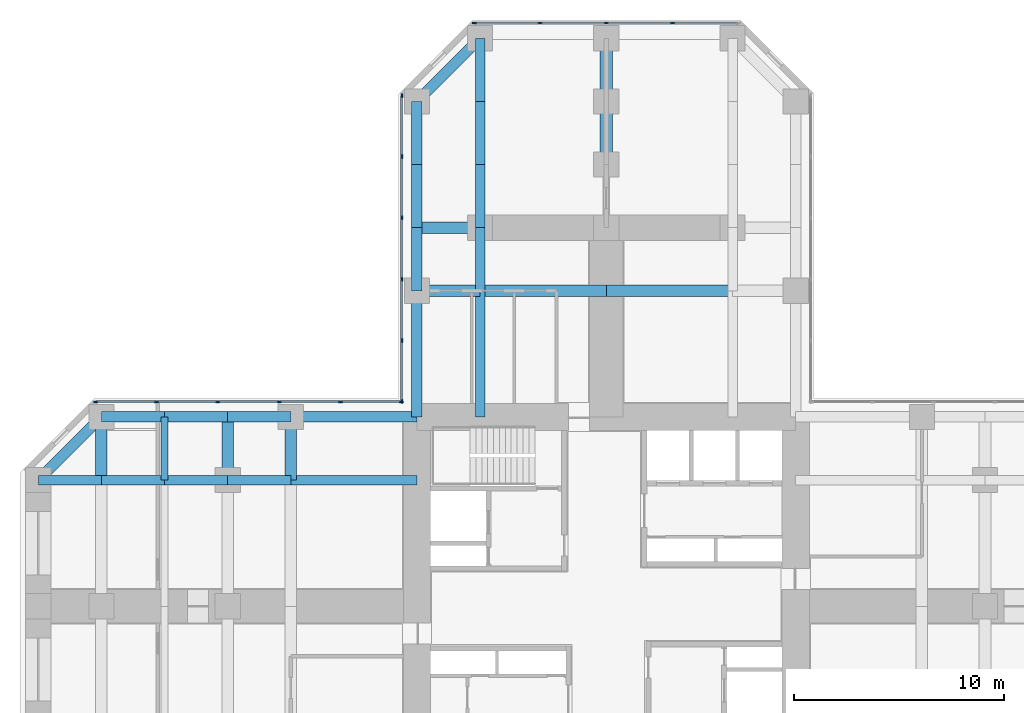
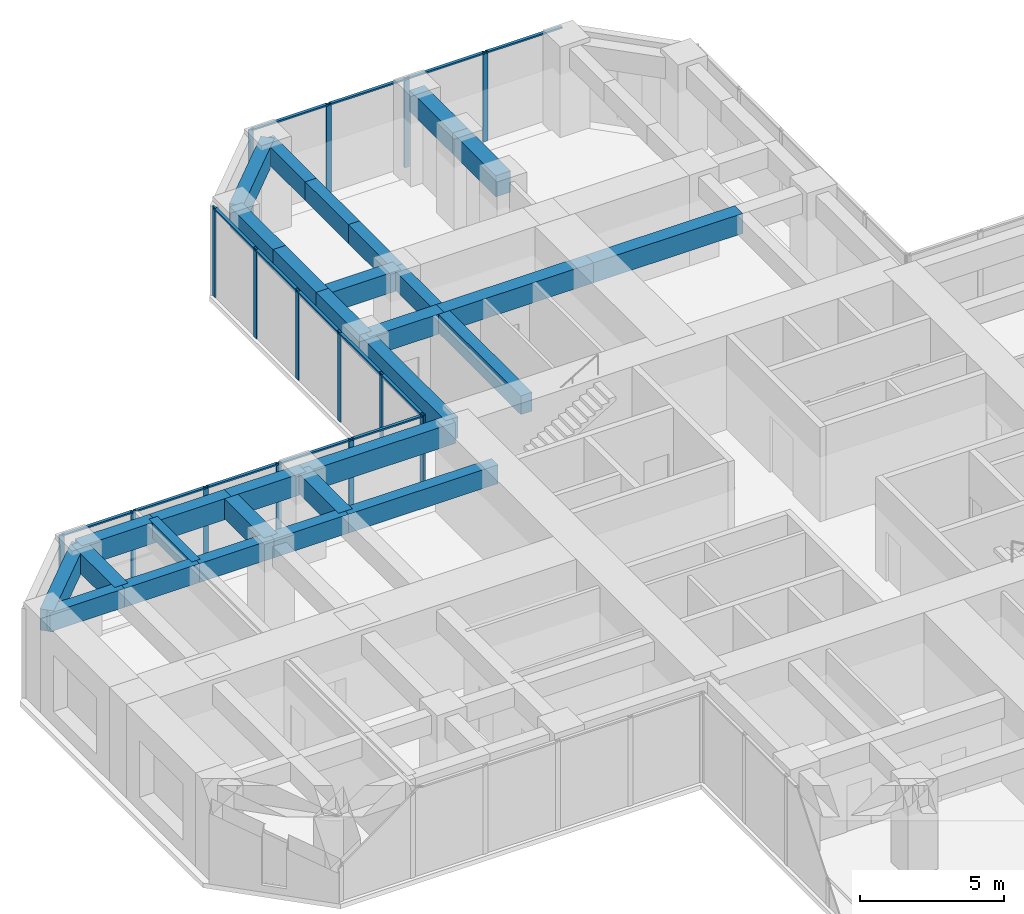
# One storey, part 5 of 12: 30 beams, 30 members, 3 elements without a shape of their own.
"""IFC4 building model written with IfcOpenShell, lengths in metres."""

from ifc_helpers import new_model, si_unit, direction, frame, origin, origin_2d, place, context, subcontext, project, spatial, rectangle, extrude, material, material_profile, profile_set, type_object, element, aggregate, save


model = new_model("IFC4")

# Units and contexts
model_context = context("Model", 3, precision=1e-05, world=origin(), true_north=direction((0.0, 1.0)))
body_context = subcontext(model_context, "Body", "Model", "MODEL_VIEW")
ifc_project = project(units=[si_unit("LENGTHUNIT", "METRE"), si_unit("AREAUNIT", "SQUARE_METRE"), si_unit("VOLUMEUNIT", "CUBIC_METRE"), si_unit("PLANEANGLEUNIT", "RADIAN"), si_unit("MASSUNIT", "GRAM", prefix="KILO")], contexts=[model_context])

# Site, building, storey
site_placement = place(None, origin())
site = spatial("IfcSite", under=ifc_project, at=site_placement, CompositionType="ELEMENT")
building_placement = place(site_placement, origin())
building = spatial("IfcBuilding", under=site, at=building_placement, Name="Torre Cruceta", CompositionType="ELEMENT")
storey_placement = place(building_placement, frame((0.0, 0.0, 35.5)))
storey = spatial("IfcBuildingStorey", under=building, at=storey_placement, Name="L08", CompositionType="ELEMENT", Elevation=35.5)

# Beams
ifc_material_1 = material(Name="Concrete G60 (fck 60 MPa)", Category="concrete")
ifc_material_profile_1 = material_profile(ifc_material_1, rectangle(XDim=0.60009765625, YDim=0.89990234375, at=origin_2d()), Name="RC 600X900")
ifc_profile_set_1 = profile_set([ifc_material_profile_1], Name="Concrete G60 (fck 60 MPa)")
beam_type_1 = type_object("IfcBeamType", Name="ARM CENTRE BEAM RC 600X900", PredefinedType="BEAM", material=ifc_profile_set_1)
for number, where, z_axis, x_axis, name in (
    (1, (0.0, 21.0, 3.35009765625), (0.0, 1.0, 0.0), (-1.0, 0.0, 0.0), "MB3 L08 N centre 1"),
    (2, (0.0, 24.0, 3.35009765625), (0.0, 1.0, 0.0), (-1.0, 0.0, 0.0), "MB3 L08 N centre 2"),
):
    element("IfcBeam", number, at=place(storey_placement, frame(where, z_axis=z_axis, x_axis=x_axis)), inside=storey, type_object=beam_type_1, Name=name, PredefinedType="BEAM", context=body_context, shape_type="SweptSolid", body=[
        extrude(rectangle(XDim=0.60009765625, YDim=0.89990234375, at=origin_2d()), origin(), (0.0, 0.0, 1.0), 3.0),
    ])
ifc_material_2 = material(Name="Concrete G60 (fck 60 MPa)", Category="concrete")
ifc_material_profile_2 = material_profile(ifc_material_2, rectangle(XDim=0.449951171875, YDim=0.800048828125, at=origin_2d()), Name="RC 450X800")
ifc_profile_set_2 = profile_set([ifc_material_profile_2], Name="Concrete G60 (fck 60 MPa)")
beam_type_2 = type_object("IfcBeamType", Name="COLUMN LINE BEAM RC 450X800", PredefinedType="BEAM", material=ifc_profile_set_2)
beam_1_placement = place(storey_placement, frame((-6.0, 9.0, 3.39990234375), z_axis=(0.0, 1.0, 0.0), x_axis=(-1.0, 0.0, 0.0)))
element("IfcBeam", 3, at=beam_1_placement, inside=storey, type_object=beam_type_2, Name="LB1 L08 N col+ 1", PredefinedType="BEAM", context=body_context, shape_type="SweptSolid", body=[
    extrude(rectangle(XDim=0.449951171875, YDim=0.800048828125, at=origin_2d()), origin(), (0.0, 0.0, 1.0), 6.0),
])
for number, where, z_axis, x_axis, name in (
    (4, (-6.0, 15.0, 3.39990234375), (0.0, 1.0, 0.0), (-1.0, 0.0, 0.0), "LB1 L08 N col+ 2"),
    (5, (-6.0, 18.0, 3.39990234375), (0.0, 1.0, 0.0), (-1.0, 0.0, 0.0), "LB1 L08 N col+ 3"),
    (6, (-6.0, 21.0, 3.39990234375), (0.0, 1.0, 0.0), (-1.0, 0.0, 0.0), "LB1 L08 N col+ 4"),
    (7, (-6.0, 24.0, 3.39990234375), (0.0, 1.0, 0.0), (-1.0, 0.0, 0.0), "LB1 L08 N col+ 5"),
):
    element("IfcBeam", number, at=place(storey_placement, frame(where, z_axis=z_axis, x_axis=x_axis)), inside=storey, type_object=beam_type_2, Name=name, PredefinedType="BEAM", context=body_context, shape_type="SweptSolid", body=[
        extrude(rectangle(XDim=0.449951171875, YDim=0.800048828125, at=origin_2d()), origin(), (0.0, 0.0, 1.0), 3.0),
    ])
beam_2_placement = place(storey_placement, frame((-9.0, 6.0, 3.39990234375), z_axis=(-1.0, 0.0, 0.0), x_axis=(0.0, -1.0, 0.0)))
element("IfcBeam", 8, at=beam_2_placement, inside=storey, type_object=beam_type_2, Name="LB1 L08 W col- 1", PredefinedType="BEAM", context=body_context, shape_type="SweptSolid", body=[
    extrude(rectangle(XDim=0.449951171875, YDim=0.800048828125, at=origin_2d()), origin(), (0.0, 0.0, 1.0), 6.0),
])
for number, where, z_axis, x_axis, name in (
    (9, (-15.0, 6.0, 3.39990234375), (-1.0, 0.0, 0.0), (0.0, -1.0, 0.0), "LB1 L08 W col- 2"),
    (10, (-18.0, 6.0, 3.39990234375), (-1.0, 0.0, 0.0), (0.0, -1.0, 0.0), "LB1 L08 W col- 3"),
    (11, (-21.0, 6.0, 3.39990234375), (-1.0, 0.0, 0.0), (0.0, -1.0, 0.0), "LB1 L08 W col- 4"),
    (12, (-24.0, 6.0, 3.39990234375), (-1.0, 0.0, 0.0), (0.0, -1.0, 0.0), "LB1 L08 W col- 5"),
):
    element("IfcBeam", number, at=place(storey_placement, frame(where, z_axis=z_axis, x_axis=x_axis)), inside=storey, type_object=beam_type_2, Name=name, PredefinedType="BEAM", context=body_context, shape_type="SweptSolid", body=[
        extrude(rectangle(XDim=0.449951171875, YDim=0.800048828125, at=origin_2d()), origin(), (0.0, 0.0, 1.0), 3.0),
    ])
ifc_material_3 = material(Name="Concrete G60 (fck 60 MPa)", Category="concrete")
ifc_material_profile_3 = material_profile(ifc_material_3, rectangle(XDim=0.550048828125, YDim=0.85009765625, at=origin_2d()), Name="RC 550X850")
ifc_profile_set_3 = profile_set([ifc_material_profile_3], Name="Concrete G60 (fck 60 MPa)")
beam_type_3 = type_object("IfcBeamType", Name="CROSS BEAM RC 550X850", PredefinedType="BEAM", material=ifc_profile_set_3)
for number, where, z_axis, x_axis, name in (
    (13, (6.0, 15.0, 3.375), (-1.0, 0.0, 0.0), (0.0, -1.0, 0.0), "GB4 L08 N cross15 2"),
    (14, (0.0, 15.0, 3.375), (-1.0, 0.0, 0.0), (0.0, -1.0, 0.0), "GB4 L08 N cross15 3"),
):
    element("IfcBeam", number, at=place(storey_placement, frame(where, z_axis=z_axis, x_axis=x_axis)), inside=storey, type_object=beam_type_3, Name=name, PredefinedType="BEAM", context=body_context, shape_type="SweptSolid", body=[
        extrude(rectangle(XDim=0.550048828125, YDim=0.85009765625, at=origin_2d()), origin(), (0.0, 0.0, 1.0), 6.0),
    ])
for number, where, z_axis, x_axis, name in (
    (15, (-6.0, 15.0, 3.375), (-1.0, 0.0, 0.0), (0.0, -1.0, 0.0), "GB4 L08 N cross15 4"),
    (16, (-6.0, 18.0, 3.375), (-1.0, 0.0, 0.0), (0.0, -1.0, 0.0), "GB4 L08 N cross18b 1"),
    (17, (-15.0, 9.0, 3.375), (0.0, -1.0, 0.0), (1.0, 0.0, 0.0), "GB4 L08 W cross15 1"),
    (18, (-18.0, 9.0, 3.375), (0.0, -1.0, 0.0), (1.0, 0.0, 0.0), "GB4 L08 W cross18 1"),
    (19, (-24.0, 9.0, 3.375), (0.0, -1.0, 0.0), (1.0, 0.0, 0.0), "GB4 L08 W cross24 1"),
):
    element("IfcBeam", number, at=place(storey_placement, frame(where, z_axis=z_axis, x_axis=x_axis)), inside=storey, type_object=beam_type_3, Name=name, PredefinedType="BEAM", context=body_context, shape_type="SweptSolid", body=[
        extrude(rectangle(XDim=0.550048828125, YDim=0.85009765625, at=origin_2d()), origin(), (0.0, 0.0, 1.0), 3.0),
    ])

# Curtain wall, members
ifc_material_4 = material(Name="Aluminium unitised curtain wall", Category="aluminium")
curtain_wall_type = type_object("IfcCurtainWallType", Name="CURTAIN WALL CW-A OFFICE LOW RISE", PredefinedType="USERDEFINED", material=ifc_material_4)
curtain_wall_1_placement = place(storey_placement, origin())
curtain_wall_1 = element("IfcCurtainWall", 20, at=curtain_wall_1_placement, inside=storey, type_object=curtain_wall_type, Name="CW-A L08 N tip 07", ObjectType="UNITISED", PredefinedType="USERDEFINED")
ifc_material_5 = material(Name="Aluminium mullion", Category="aluminium")
ifc_material_profile_4 = material_profile(ifc_material_5, rectangle(XDim=0.06494140625, YDim=0.199951171875, at=origin_2d()), Name="AL 65X200")
ifc_profile_set_4 = profile_set([ifc_material_profile_4], Name="Aluminium mullion")
member_type_1 = type_object("IfcMemberType", Name="CW-A MULLION 65X200", PredefinedType="MULLION", material=ifc_profile_set_4)
member_1_placement = place(storey_placement, frame((3.149169921875, 27.719970703125, 0.0), z_axis=(0.0, 0.0, 1.0), x_axis=(0.0, -1.0, 0.0)))
member_1 = element("IfcMember", 21, at=member_1_placement, type_object=member_type_1, Name="CW-A mullion 2", PredefinedType="MULLION", context=body_context, shape_type="SweptSolid", body=[
    extrude(rectangle(XDim=0.06494140625, YDim=0.199951171875, at=origin_2d()), origin(), (0.0, 0.0, 1.0), 3.800048828125),
])
member_2_placement = place(storey_placement, frame((0.0, 27.719970703125, 0.0), z_axis=(0.0, 0.0, 1.0), x_axis=(0.0, -1.0, 0.0)))
member_2 = element("IfcMember", 22, at=member_2_placement, type_object=member_type_1, Name="CW-A mullion 3", PredefinedType="MULLION", context=body_context, shape_type="SweptSolid", body=[
    extrude(rectangle(XDim=0.06494140625, YDim=0.199951171875, at=origin_2d()), origin(), (0.0, 0.0, 1.0), 3.800048828125),
])
member_3_placement = place(storey_placement, frame((-3.149169921875, 27.719970703125, 0.0), z_axis=(0.0, 0.0, 1.0), x_axis=(0.0, -1.0, 0.0)))
member_3 = element("IfcMember", 23, at=member_3_placement, type_object=member_type_1, Name="CW-A mullion 4", PredefinedType="MULLION", context=body_context, shape_type="SweptSolid", body=[
    extrude(rectangle(XDim=0.06494140625, YDim=0.199951171875, at=origin_2d()), origin(), (0.0, 0.0, 1.0), 3.800048828125),
])
member_4_placement = place(storey_placement, frame((-6.265625, 27.719970703125, 0.0), z_axis=(0.0, 0.0, 1.0), x_axis=(0.0, -1.0, 0.0)))
member_4 = element("IfcMember", 24, at=member_4_placement, type_object=member_type_1, Name="CW-A mullion 5", PredefinedType="MULLION", context=body_context, shape_type="SweptSolid", body=[
    extrude(rectangle(XDim=0.06494140625, YDim=0.199951171875, at=origin_2d()), origin(), (0.0, 0.0, 1.0), 3.800048828125),
])

curtain_wall_2_placement = place(storey_placement, origin())
curtain_wall_2 = element("IfcCurtainWall", 25, at=curtain_wall_2_placement, inside=storey, type_object=curtain_wall_type, Name="CW-A L08 N side 09", ObjectType="UNITISED", PredefinedType="USERDEFINED")
member_5_placement = place(storey_placement, frame((-9.719970703125, 24.265625, 0.0), z_axis=(0.0, 0.0, 1.0), x_axis=(1.0, 0.0, 0.0)))
member_5 = element("IfcMember", 26, at=member_5_placement, type_object=member_type_1, Name="CW-A mullion 1", PredefinedType="MULLION", context=body_context, shape_type="SweptSolid", body=[
    extrude(rectangle(XDim=0.06494140625, YDim=0.199951171875, at=origin_2d()), origin(), (0.0, 0.0, 1.0), 3.800048828125),
])
member_6_placement = place(storey_placement, frame((-9.719970703125, 21.382568359375, 0.0), z_axis=(0.0, 0.0, 1.0), x_axis=(1.0, 0.0, 0.0)))
member_6 = element("IfcMember", 27, at=member_6_placement, type_object=member_type_1, Name="CW-A mullion 2", PredefinedType="MULLION", context=body_context, shape_type="SweptSolid", body=[
    extrude(rectangle(XDim=0.06494140625, YDim=0.199951171875, at=origin_2d()), origin(), (0.0, 0.0, 1.0), 3.800048828125),
])
member_7_placement = place(storey_placement, frame((-9.719970703125, 18.467041015625, 0.0), z_axis=(0.0, 0.0, 1.0), x_axis=(1.0, 0.0, 0.0)))
member_7 = element("IfcMember", 28, at=member_7_placement, type_object=member_type_1, Name="CW-A mullion 3", PredefinedType="MULLION", context=body_context, shape_type="SweptSolid", body=[
    extrude(rectangle(XDim=0.06494140625, YDim=0.199951171875, at=origin_2d()), origin(), (0.0, 0.0, 1.0), 3.800048828125),
])
member_8_placement = place(storey_placement, frame((-9.719970703125, 15.55126953125, 0.0), z_axis=(0.0, 0.0, 1.0), x_axis=(1.0, 0.0, 0.0)))
member_8 = element("IfcMember", 29, at=member_8_placement, type_object=member_type_1, Name="CW-A mullion 4", PredefinedType="MULLION", context=body_context, shape_type="SweptSolid", body=[
    extrude(rectangle(XDim=0.06494140625, YDim=0.199951171875, at=origin_2d()), origin(), (0.0, 0.0, 1.0), 3.800048828125),
])
member_9_placement = place(storey_placement, frame((-9.719970703125, 12.6357421875, 0.0), z_axis=(0.0, 0.0, 1.0), x_axis=(1.0, 0.0, 0.0)))
member_9 = element("IfcMember", 30, at=member_9_placement, type_object=member_type_1, Name="CW-A mullion 5", PredefinedType="MULLION", context=body_context, shape_type="SweptSolid", body=[
    extrude(rectangle(XDim=0.06494140625, YDim=0.199951171875, at=origin_2d()), origin(), (0.0, 0.0, 1.0), 3.800048828125),
])
member_10_placement = place(storey_placement, frame((-9.719970703125, 9.75244140625, 0.0), z_axis=(0.0, 0.0, 1.0), x_axis=(1.0, 0.0, 0.0)))
member_10 = element("IfcMember", 31, at=member_10_placement, type_object=member_type_1, Name="CW-A mullion 6", PredefinedType="MULLION", context=body_context, shape_type="SweptSolid", body=[
    extrude(rectangle(XDim=0.06494140625, YDim=0.199951171875, at=origin_2d()), origin(), (0.0, 0.0, 1.0), 3.800048828125),
])

curtain_wall_3_placement = place(storey_placement, origin())
curtain_wall_3 = element("IfcCurtainWall", 32, at=curtain_wall_3_placement, inside=storey, type_object=curtain_wall_type, Name="CW-A L08 W side 10", ObjectType="UNITISED", PredefinedType="USERDEFINED")
member_11_placement = place(storey_placement, frame((-9.75244140625, 9.719970703125, 0.0), z_axis=(0.0, 0.0, 1.0), x_axis=(0.0, -1.0, 0.0)))
member_11 = element("IfcMember", 33, at=member_11_placement, type_object=member_type_1, Name="CW-A mullion 1", PredefinedType="MULLION", context=body_context, shape_type="SweptSolid", body=[
    extrude(rectangle(XDim=0.06494140625, YDim=0.199951171875, at=origin_2d()), origin(), (0.0, 0.0, 1.0), 3.800048828125),
])
member_12_placement = place(storey_placement, frame((-12.6357421875, 9.719970703125, 0.0), z_axis=(0.0, 0.0, 1.0), x_axis=(0.0, -1.0, 0.0)))
member_12 = element("IfcMember", 34, at=member_12_placement, type_object=member_type_1, Name="CW-A mullion 2", PredefinedType="MULLION", context=body_context, shape_type="SweptSolid", body=[
    extrude(rectangle(XDim=0.06494140625, YDim=0.199951171875, at=origin_2d()), origin(), (0.0, 0.0, 1.0), 3.800048828125),
])
member_13_placement = place(storey_placement, frame((-15.55126953125, 9.719970703125, 0.0), z_axis=(0.0, 0.0, 1.0), x_axis=(0.0, -1.0, 0.0)))
member_13 = element("IfcMember", 35, at=member_13_placement, type_object=member_type_1, Name="CW-A mullion 3", PredefinedType="MULLION", context=body_context, shape_type="SweptSolid", body=[
    extrude(rectangle(XDim=0.06494140625, YDim=0.199951171875, at=origin_2d()), origin(), (0.0, 0.0, 1.0), 3.800048828125),
])
member_14_placement = place(storey_placement, frame((-18.467041015625, 9.719970703125, 0.0), z_axis=(0.0, 0.0, 1.0), x_axis=(0.0, -1.0, 0.0)))
member_14 = element("IfcMember", 36, at=member_14_placement, type_object=member_type_1, Name="CW-A mullion 4", PredefinedType="MULLION", context=body_context, shape_type="SweptSolid", body=[
    extrude(rectangle(XDim=0.06494140625, YDim=0.199951171875, at=origin_2d()), origin(), (0.0, 0.0, 1.0), 3.800048828125),
])
member_15_placement = place(storey_placement, frame((-21.382568359375, 9.719970703125, 0.0), z_axis=(0.0, 0.0, 1.0), x_axis=(0.0, -1.0, 0.0)))
member_15 = element("IfcMember", 37, at=member_15_placement, type_object=member_type_1, Name="CW-A mullion 5", PredefinedType="MULLION", context=body_context, shape_type="SweptSolid", body=[
    extrude(rectangle(XDim=0.06494140625, YDim=0.199951171875, at=origin_2d()), origin(), (0.0, 0.0, 1.0), 3.800048828125),
])
member_16_placement = place(storey_placement, frame((-24.265625, 9.719970703125, 0.0), z_axis=(0.0, 0.0, 1.0), x_axis=(0.0, -1.0, 0.0)))
member_16 = element("IfcMember", 38, at=member_16_placement, type_object=member_type_1, Name="CW-A mullion 6", PredefinedType="MULLION", context=body_context, shape_type="SweptSolid", body=[
    extrude(rectangle(XDim=0.06494140625, YDim=0.199951171875, at=origin_2d()), origin(), (0.0, 0.0, 1.0), 3.800048828125),
])

# Member
ifc_material_6 = material(Name="Aluminium transom", Category="aluminium")
ifc_material_profile_5 = material_profile(ifc_material_6, rectangle(XDim=0.1201171875, YDim=0.06494140625, at=origin_2d()), Name="AL 120X65")
ifc_profile_set_5 = profile_set([ifc_material_profile_5], Name="Aluminium transom")
member_type_2 = type_object("IfcMemberType", Name="CW-A TRANSOM 65X120", PredefinedType="USERDEFINED", material=ifc_profile_set_5)
member_17_placement = place(storey_placement, frame((6.233154296875, 27.719970703125, 3.767578125), z_axis=(-1.0, 0.0, 0.0), x_axis=(0.0, -1.0, 0.0)))
member_17 = element("IfcMember", 39, at=member_17_placement, type_object=member_type_2, Name="CW-A transom 1", ObjectType="TRANSOM", PredefinedType="USERDEFINED", context=body_context, shape_type="SweptSolid", body=[
    extrude(rectangle(XDim=0.1201171875, YDim=0.06494140625, at=origin_2d()), origin(), (0.0, 0.0, 1.0), 3.051513671875),
])

member_18_placement = place(storey_placement, frame((3.11669921875, 27.719970703125, 3.767578125), z_axis=(-1.0, 0.0, 0.0), x_axis=(0.0, -1.0, 0.0)))
member_18 = element("IfcMember", 40, at=member_18_placement, type_object=member_type_2, Name="CW-A transom 2", ObjectType="TRANSOM", PredefinedType="USERDEFINED", context=body_context, shape_type="SweptSolid", body=[
    extrude(rectangle(XDim=0.1201171875, YDim=0.06494140625, at=origin_2d()), origin(), (0.0, 0.0, 1.0), 3.084228515625),
])

member_19_placement = place(storey_placement, frame((-0.032470703125, 27.719970703125, 3.767578125), z_axis=(-1.0, 0.0, 0.0), x_axis=(0.0, -1.0, 0.0)))
member_19 = element("IfcMember", 41, at=member_19_placement, type_object=member_type_2, Name="CW-A transom 3", ObjectType="TRANSOM", PredefinedType="USERDEFINED", context=body_context, shape_type="SweptSolid", body=[
    extrude(rectangle(XDim=0.1201171875, YDim=0.06494140625, at=origin_2d()), origin(), (0.0, 0.0, 1.0), 3.084228515625),
])

member_20_placement = place(storey_placement, frame((-3.181640625, 27.719970703125, 3.767578125), z_axis=(-1.0, 0.0, 0.0), x_axis=(0.0, -1.0, 0.0)))
member_20 = element("IfcMember", 42, at=member_20_placement, type_object=member_type_2, Name="CW-A transom 4", ObjectType="TRANSOM", PredefinedType="USERDEFINED", context=body_context, shape_type="SweptSolid", body=[
    extrude(rectangle(XDim=0.1201171875, YDim=0.06494140625, at=origin_2d()), origin(), (0.0, 0.0, 1.0), 3.051513671875),
])

aggregate(curtain_wall_1, [member_1, member_2, member_3, member_4, member_17, member_18, member_19, member_20])

member_21_placement = place(storey_placement, frame((-9.719970703125, 24.233154296875, 3.767578125), z_axis=(0.0, -1.0, 0.0), x_axis=(1.0, 0.0, 0.0)))
member_21 = element("IfcMember", 43, at=member_21_placement, type_object=member_type_2, Name="CW-A transom 1", ObjectType="TRANSOM", PredefinedType="USERDEFINED", context=body_context, shape_type="SweptSolid", body=[
    extrude(rectangle(XDim=0.1201171875, YDim=0.06494140625, at=origin_2d()), origin(), (0.0, 0.0, 1.0), 2.818115234375),
])

member_22_placement = place(storey_placement, frame((-9.719970703125, 21.35009765625, 3.767578125), z_axis=(0.0, -1.0, 0.0), x_axis=(1.0, 0.0, 0.0)))
member_22 = element("IfcMember", 44, at=member_22_placement, type_object=member_type_2, Name="CW-A transom 2", ObjectType="TRANSOM", PredefinedType="USERDEFINED", context=body_context, shape_type="SweptSolid", body=[
    extrude(rectangle(XDim=0.1201171875, YDim=0.06494140625, at=origin_2d()), origin(), (0.0, 0.0, 1.0), 2.8505859375),
])

member_23_placement = place(storey_placement, frame((-9.719970703125, 18.434326171875, 3.767578125), z_axis=(0.0, -1.0, 0.0), x_axis=(1.0, 0.0, 0.0)))
member_23 = element("IfcMember", 45, at=member_23_placement, type_object=member_type_2, Name="CW-A transom 3", ObjectType="TRANSOM", PredefinedType="USERDEFINED", context=body_context, shape_type="SweptSolid", body=[
    extrude(rectangle(XDim=0.1201171875, YDim=0.06494140625, at=origin_2d()), origin(), (0.0, 0.0, 1.0), 2.8505859375),
])

member_24_placement = place(storey_placement, frame((-9.719970703125, 15.518798828125, 3.767578125), z_axis=(0.0, -1.0, 0.0), x_axis=(1.0, 0.0, 0.0)))
member_24 = element("IfcMember", 46, at=member_24_placement, type_object=member_type_2, Name="CW-A transom 4", ObjectType="TRANSOM", PredefinedType="USERDEFINED", context=body_context, shape_type="SweptSolid", body=[
    extrude(rectangle(XDim=0.1201171875, YDim=0.06494140625, at=origin_2d()), origin(), (0.0, 0.0, 1.0), 2.8505859375),
])

member_25_placement = place(storey_placement, frame((-9.719970703125, 12.60302734375, 3.767578125), z_axis=(0.0, -1.0, 0.0), x_axis=(1.0, 0.0, 0.0)))
member_25 = element("IfcMember", 47, at=member_25_placement, type_object=member_type_2, Name="CW-A transom 5", ObjectType="TRANSOM", PredefinedType="USERDEFINED", context=body_context, shape_type="SweptSolid", body=[
    extrude(rectangle(XDim=0.1201171875, YDim=0.06494140625, at=origin_2d()), origin(), (0.0, 0.0, 1.0), 2.818115234375),
])

aggregate(curtain_wall_2, [member_5, member_6, member_7, member_8, member_9, member_10, member_21, member_22, member_23, member_24, member_25])

member_26_placement = place(storey_placement, frame((-9.784912109375, 9.719970703125, 3.767578125), z_axis=(-1.0, 0.0, 0.0), x_axis=(0.0, -1.0, 0.0)))
member_26 = element("IfcMember", 48, at=member_26_placement, type_object=member_type_2, Name="CW-A transom 1", ObjectType="TRANSOM", PredefinedType="USERDEFINED", context=body_context, shape_type="SweptSolid", body=[
    extrude(rectangle(XDim=0.1201171875, YDim=0.06494140625, at=origin_2d()), origin(), (0.0, 0.0, 1.0), 2.818115234375),
])

member_27_placement = place(storey_placement, frame((-12.668212890625, 9.719970703125, 3.767578125), z_axis=(-1.0, 0.0, 0.0), x_axis=(0.0, -1.0, 0.0)))
member_27 = element("IfcMember", 49, at=member_27_placement, type_object=member_type_2, Name="CW-A transom 2", ObjectType="TRANSOM", PredefinedType="USERDEFINED", context=body_context, shape_type="SweptSolid", body=[
    extrude(rectangle(XDim=0.1201171875, YDim=0.06494140625, at=origin_2d()), origin(), (0.0, 0.0, 1.0), 2.8505859375),
])

member_28_placement = place(storey_placement, frame((-15.583740234375, 9.719970703125, 3.767578125), z_axis=(-1.0, 0.0, 0.0), x_axis=(0.0, -1.0, 0.0)))
member_28 = element("IfcMember", 50, at=member_28_placement, type_object=member_type_2, Name="CW-A transom 3", ObjectType="TRANSOM", PredefinedType="USERDEFINED", context=body_context, shape_type="SweptSolid", body=[
    extrude(rectangle(XDim=0.1201171875, YDim=0.06494140625, at=origin_2d()), origin(), (0.0, 0.0, 1.0), 2.8505859375),
])

member_29_placement = place(storey_placement, frame((-18.49951171875, 9.719970703125, 3.767578125), z_axis=(-1.0, 0.0, 0.0), x_axis=(0.0, -1.0, 0.0)))
member_29 = element("IfcMember", 51, at=member_29_placement, type_object=member_type_2, Name="CW-A transom 4", ObjectType="TRANSOM", PredefinedType="USERDEFINED", context=body_context, shape_type="SweptSolid", body=[
    extrude(rectangle(XDim=0.1201171875, YDim=0.06494140625, at=origin_2d()), origin(), (0.0, 0.0, 1.0), 2.8505859375),
])

member_30_placement = place(storey_placement, frame((-21.4150390625, 9.719970703125, 3.767578125), z_axis=(-1.0, 0.0, 0.0), x_axis=(0.0, -1.0, 0.0)))
member_30 = element("IfcMember", 52, at=member_30_placement, type_object=member_type_2, Name="CW-A transom 5", ObjectType="TRANSOM", PredefinedType="USERDEFINED", context=body_context, shape_type="SweptSolid", body=[
    extrude(rectangle(XDim=0.1201171875, YDim=0.06494140625, at=origin_2d()), origin(), (0.0, 0.0, 1.0), 2.818115234375),
])

aggregate(curtain_wall_3, [member_11, member_12, member_13, member_14, member_15, member_16, member_26, member_27, member_28, member_29, member_30])

# Beams
ifc_material_7 = material(Name="Concrete G60 (fck 60 MPa)", Category="concrete")
ifc_material_profile_6 = material_profile(ifc_material_7, rectangle(XDim=0.35009765625, YDim=0.64990234375, at=origin_2d()), Name="RC 350X650")
ifc_profile_set_6 = profile_set([ifc_material_profile_6], Name="Concrete G60 (fck 60 MPa)")
beam_type_4 = type_object("IfcBeamType", Name="SECONDARY BEAM RC 350X650", PredefinedType="JOIST", material=ifc_profile_set_6)
beam_3_placement = place(storey_placement, frame((-21.0, 9.0, 3.47509765625), z_axis=(0.0, -1.0, 0.0), x_axis=(1.0, 0.0, 0.0)))
element("IfcBeam", 53, at=beam_3_placement, inside=storey, type_object=beam_type_4, Name="JB3 L08 W sec21 1", PredefinedType="JOIST", context=body_context, shape_type="SweptSolid", body=[
    extrude(rectangle(XDim=0.35009765625, YDim=0.64990234375, at=origin_2d()), origin(), (0.0, 0.0, 1.0), 3.0),
])
ifc_material_8 = material(Name="Concrete G60 (fck 60 MPa)", Category="concrete")
ifc_material_profile_7 = material_profile(ifc_material_8, rectangle(XDim=0.5, YDim=0.89990234375, at=origin_2d()), Name="RC 500X900")
ifc_profile_set_7 = profile_set([ifc_material_profile_7], Name="Concrete G60 (fck 60 MPa)")
beam_type_5 = type_object("IfcBeamType", Name="SPANDREL BEAM RC 500X900", PredefinedType="SPANDREL", material=ifc_profile_set_7)
beam_4_placement = place(storey_placement, frame((-9.0, 9.0, 3.35009765625), z_axis=(0.0, 1.0, 0.0), x_axis=(-1.0, 0.0, 0.0)))
element("IfcBeam", 54, at=beam_4_placement, inside=storey, type_object=beam_type_5, Name="SB4 L08 N side+ 1", PredefinedType="SPANDREL", context=body_context, shape_type="SweptSolid", body=[
    extrude(rectangle(XDim=0.5, YDim=0.89990234375, at=origin_2d()), origin(), (0.0, 0.0, 1.0), 6.0),
])
for number, where, z_axis, x_axis, name in (
    (55, (-9.0, 15.0, 3.35009765625), (0.0, 1.0, 0.0), (-1.0, 0.0, 0.0), "SB4 L08 N side+ 2"),
    (56, (-9.0, 18.0, 3.35009765625), (0.0, 1.0, 0.0), (-1.0, 0.0, 0.0), "SB4 L08 N side+ 3"),
    (57, (-9.0, 21.0, 3.35009765625), (0.0, 1.0, 0.0), (-1.0, 0.0, 0.0), "SB4 L08 N side+ 4"),
):
    element("IfcBeam", number, at=place(storey_placement, frame(where, z_axis=z_axis, x_axis=x_axis)), inside=storey, type_object=beam_type_5, Name=name, PredefinedType="SPANDREL", context=body_context, shape_type="SweptSolid", body=[
        extrude(rectangle(XDim=0.5, YDim=0.89990234375, at=origin_2d()), origin(), (0.0, 0.0, 1.0), 3.0),
    ])
beam_5_placement = place(storey_placement, frame((-9.0, 24.0, 3.35009765625), z_axis=(0.707106781187, 0.707106781187, 0.0), x_axis=(-0.707106781187, 0.707106781187, 0.0)))
element("IfcBeam", 58, at=beam_5_placement, inside=storey, type_object=beam_type_5, Name="SB4 L08 N side+ 5", PredefinedType="SPANDREL", context=body_context, shape_type="SweptSolid", body=[
    extrude(rectangle(XDim=0.5, YDim=0.89990234375, at=origin_2d()), origin(), (0.0, 0.0, 1.0), 4.24267578125),
])
beam_6_placement = place(storey_placement, frame((-9.0, 9.0, 3.35009765625), z_axis=(-1.0, 0.0, 0.0), x_axis=(0.0, -1.0, 0.0)))
element("IfcBeam", 59, at=beam_6_placement, inside=storey, type_object=beam_type_5, Name="SB4 L08 W side- 1", PredefinedType="SPANDREL", context=body_context, shape_type="SweptSolid", body=[
    extrude(rectangle(XDim=0.5, YDim=0.89990234375, at=origin_2d()), origin(), (0.0, 0.0, 1.0), 6.0),
])
for number, where, z_axis, x_axis, name in (
    (60, (-15.0, 9.0, 3.35009765625), (-1.0, 0.0, 0.0), (0.0, -1.0, 0.0), "SB4 L08 W side- 2"),
    (61, (-18.0, 9.0, 3.35009765625), (-1.0, 0.0, 0.0), (0.0, -1.0, 0.0), "SB4 L08 W side- 3"),
    (62, (-21.0, 9.0, 3.35009765625), (-1.0, 0.0, 0.0), (0.0, -1.0, 0.0), "SB4 L08 W side- 4"),
):
    element("IfcBeam", number, at=place(storey_placement, frame(where, z_axis=z_axis, x_axis=x_axis)), inside=storey, type_object=beam_type_5, Name=name, PredefinedType="SPANDREL", context=body_context, shape_type="SweptSolid", body=[
        extrude(rectangle(XDim=0.5, YDim=0.89990234375, at=origin_2d()), origin(), (0.0, 0.0, 1.0), 3.0),
    ])
beam_7_placement = place(storey_placement, frame((-24.0, 9.0, 3.35009765625), z_axis=(-0.707106781187, -0.707106781187, 0.0), x_axis=(0.707106781187, -0.707106781187, 0.0)))
element("IfcBeam", 63, at=beam_7_placement, inside=storey, type_object=beam_type_5, Name="SB4 L08 W side- 5", PredefinedType="SPANDREL", context=body_context, shape_type="SweptSolid", body=[
    extrude(rectangle(XDim=0.5, YDim=0.89990234375, at=origin_2d()), origin(), (0.0, 0.0, 1.0), 4.24267578125),
])

save(model, "model.ifc")
